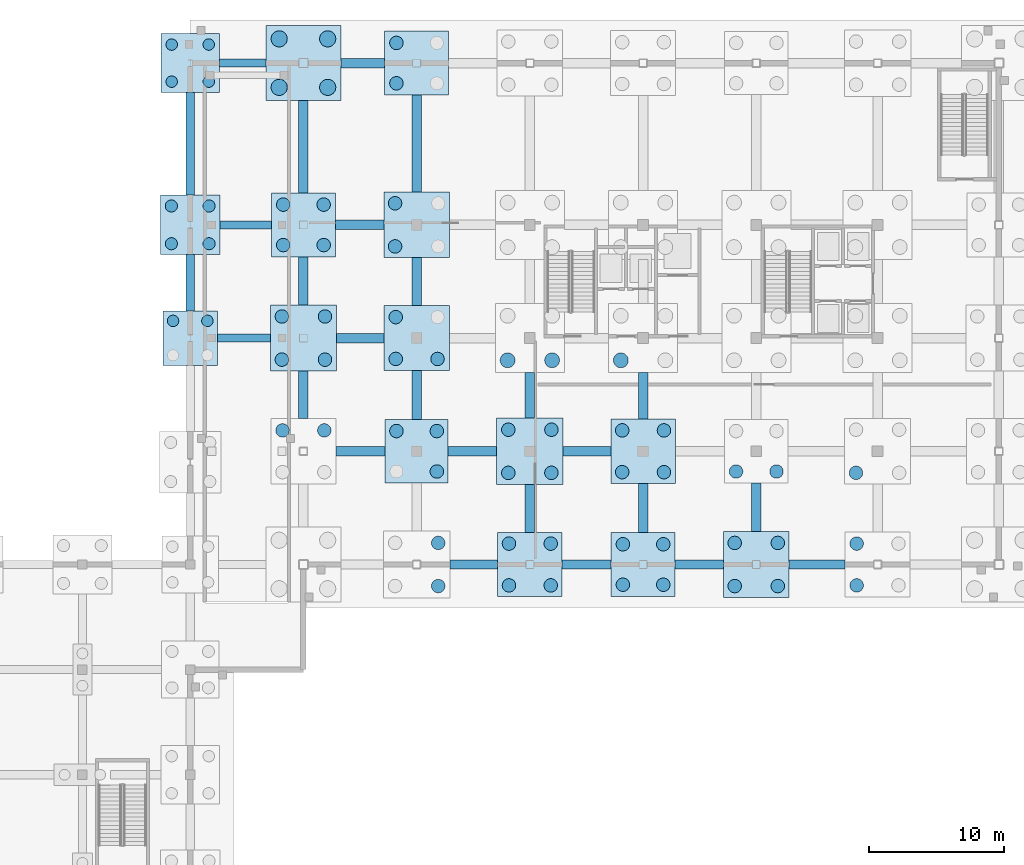
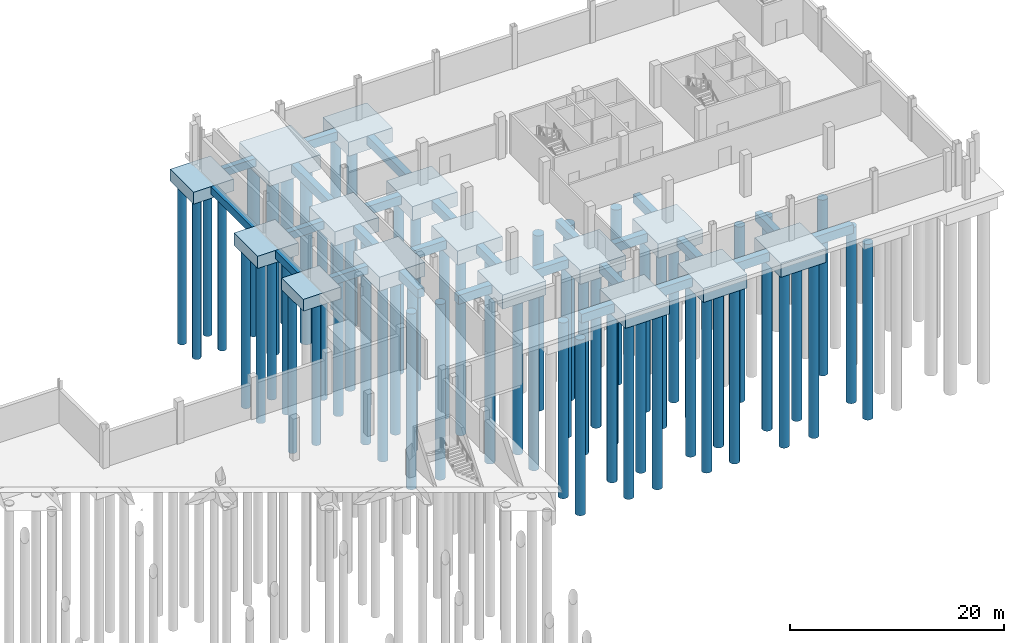
# One storey, part 10 of 44: 64 piles, 41 footings.
"""IFC4 building model written with IfcOpenShell, lengths in metres."""

from ifc_helpers import new_model, si_unit, direction, frame, origin, origin_2d, place, context, subcontext, project, spatial, polyline, rectangle, circle, outline, extrude, material, material_profile, profile_set, type_object, element, save


model = new_model("IFC4")

# Units and contexts
model_context = context("Model", 3, precision=1e-05, world=origin(), true_north=direction((0.0, 1.0)))
body_context = subcontext(model_context, "Body", "Model", "MODEL_VIEW")
ifc_project = project(units=[si_unit("LENGTHUNIT", "METRE"), si_unit("AREAUNIT", "SQUARE_METRE"), si_unit("VOLUMEUNIT", "CUBIC_METRE"), si_unit("PLANEANGLEUNIT", "RADIAN"), si_unit("MASSUNIT", "GRAM", prefix="KILO")], contexts=[model_context])

# Site, building, storey
site_placement = place(None, origin())
site = spatial("IfcSite", under=ifc_project, at=site_placement, CompositionType="ELEMENT")
building_placement = place(site_placement, origin())
building = spatial("IfcBuilding", under=site, at=building_placement, Name="Yukiwa Park Conservatory and Herbarium", CompositionType="ELEMENT")
storey_placement = place(building_placement, frame((0.0, 0.0, -4.800048828125)))
storey = spatial("IfcBuildingStorey", under=building, at=storey_placement, Name="B1", CompositionType="ELEMENT", Elevation=-4.800048828125)

# Footings
ifc_material_1 = material(Name="Concrete C35", Category="concrete")
footing_type_1 = type_object("IfcFootingType", Name="FT-BEAM-600X900", PredefinedType="FOOTING_BEAM", material=ifc_material_1)
footing_1_placement = place(storey_placement, frame((0.0, 0.0, -1.349853515625)))
element("IfcFooting", 1, at=footing_1_placement, inside=storey, type_object=footing_type_1, Name="Foundation tie beam X-127", PredefinedType="FOOTING_BEAM", context=body_context, shape_type="SweptSolid", body=[
    extrude(outline(polyline([(110.02001953125, 94.5), (113.9599609375, 94.5), (113.9599609375, 95.10009765625), (110.02001953125, 95.10009765625), (110.02001953125, 94.5)])), origin(), (0.0, 0.0, 1.0), 0.89990234375),
])
footing_2_placement = place(storey_placement, frame((0.0, 0.0, -1.349853515625)))
element("IfcFooting", 2, at=footing_2_placement, inside=storey, type_object=footing_type_1, Name="Foundation tie beam X-140", PredefinedType="FOOTING_BEAM", context=body_context, shape_type="SweptSolid", body=[
    extrude(outline(polyline([(110.199951171875, 102.89990234375), (114.030029296875, 102.89990234375), (114.030029296875, 103.5), (110.199951171875, 103.5), (110.199951171875, 102.89990234375)])), origin(), (0.0, 0.0, 1.0), 0.89990234375),
])
footing_3_placement = place(storey_placement, frame((0.0, 0.0, -1.349853515625)))
element("IfcFooting", 3, at=footing_3_placement, inside=storey, type_object=footing_type_1, Name="Foundation tie beam X-153", PredefinedType="FOOTING_BEAM", context=body_context, shape_type="SweptSolid", body=[
    extrude(outline(polyline([(110.179931640625, 114.89990234375), (113.6201171875, 114.89990234375), (113.6201171875, 115.5), (110.179931640625, 115.5), (110.179931640625, 114.89990234375)])), origin(), (0.0, 0.0, 1.0), 0.89990234375),
])
footing_4_placement = place(storey_placement, frame((0.0, 0.0, -1.349853515625)))
element("IfcFooting", 4, at=footing_4_placement, inside=storey, type_object=footing_type_1, Name="Foundation tie beam Y-281", PredefinedType="FOOTING_BEAM", context=body_context, shape_type="SweptSolid", body=[
    extrude(outline(polyline([(107.699951171875, 96.820068359375), (108.300048828125, 96.820068359375), (108.300048828125, 101.0), (107.699951171875, 101.0), (107.699951171875, 96.820068359375)])), origin(), (0.0, 0.0, 1.0), 0.89990234375),
])
footing_5_placement = place(storey_placement, frame((0.0, 0.0, -1.349853515625)))
element("IfcFooting", 5, at=footing_5_placement, inside=storey, type_object=footing_type_1, Name="Foundation tie beam Y-282", PredefinedType="FOOTING_BEAM", context=body_context, shape_type="SweptSolid", body=[
    extrude(outline(polyline([(107.699951171875, 105.39990234375), (108.300048828125, 105.39990234375), (108.300048828125, 113.02001953125), (107.699951171875, 113.02001953125), (107.699951171875, 105.39990234375)])), origin(), (0.0, 0.0, 1.0), 0.89990234375),
])
ifc_material_2 = material(Name="Concrete C35", Category="concrete")
footing_type_2 = type_object("IfcFootingType", Name="FT-BEAM-700X1000", PredefinedType="FOOTING_BEAM", material=ifc_material_2)
footing_6_placement = place(storey_placement, frame((0.0, 0.0, -1.449951171875)))
element("IfcFooting", 6, at=footing_6_placement, inside=storey, type_object=footing_type_2, Name="Foundation tie beam X-102", PredefinedType="FOOTING_BEAM", context=body_context, shape_type="SweptSolid", body=[
    extrude(outline(polyline([(127.27001953125, 77.64990234375), (130.81005859375, 77.64990234375), (130.81005859375, 78.35009765625), (127.27001953125, 78.35009765625), (127.27001953125, 77.64990234375)])), origin(), (0.0, 0.0, 1.0), 1.0),
])
footing_7_placement = place(storey_placement, frame((0.0, 0.0, -1.449951171875)))
element("IfcFooting", 7, at=footing_7_placement, inside=storey, type_object=footing_type_2, Name="Foundation tie beam X-103", PredefinedType="FOOTING_BEAM", context=body_context, shape_type="SweptSolid", body=[
    extrude(outline(polyline([(135.590087890625, 77.64990234375), (139.22998046875, 77.64990234375), (139.22998046875, 78.35009765625), (135.590087890625, 78.35009765625), (135.590087890625, 77.64990234375)])), origin(), (0.0, 0.0, 1.0), 1.0),
])
footing_8_placement = place(storey_placement, frame((0.0, 0.0, -1.449951171875)))
element("IfcFooting", 8, at=footing_8_placement, inside=storey, type_object=footing_type_2, Name="Foundation tie beam X-104", PredefinedType="FOOTING_BEAM", context=body_context, shape_type="SweptSolid", body=[
    extrude(outline(polyline([(143.969970703125, 77.64990234375), (147.56005859375, 77.64990234375), (147.56005859375, 78.35009765625), (143.969970703125, 78.35009765625), (143.969970703125, 77.64990234375)])), origin(), (0.0, 0.0, 1.0), 1.0),
])
footing_9_placement = place(storey_placement, frame((0.0, 0.0, -1.449951171875)))
element("IfcFooting", 9, at=footing_9_placement, inside=storey, type_object=footing_type_2, Name="Foundation tie beam X-105", PredefinedType="FOOTING_BEAM", context=body_context, shape_type="SweptSolid", body=[
    extrude(outline(polyline([(152.43994140625, 77.64990234375), (156.580078125, 77.64990234375), (156.580078125, 78.35009765625), (152.43994140625, 78.35009765625), (152.43994140625, 77.64990234375)])), origin(), (0.0, 0.0, 1.0), 1.0),
])
footing_10_placement = place(storey_placement, frame((0.0, 0.0, -1.449951171875)))
element("IfcFooting", 10, at=footing_10_placement, inside=storey, type_object=footing_type_2, Name="Foundation tie beam X-115", PredefinedType="FOOTING_BEAM", context=body_context, shape_type="SweptSolid", body=[
    extrude(outline(polyline([(118.820068359375, 86.050048828125), (122.4599609375, 86.050048828125), (122.4599609375, 86.75), (118.820068359375, 86.75), (118.820068359375, 86.050048828125)])), origin(), (0.0, 0.0, 1.0), 1.0),
])
footing_11_placement = place(storey_placement, frame((0.0, 0.0, -1.449951171875)))
element("IfcFooting", 11, at=footing_11_placement, inside=storey, type_object=footing_type_2, Name="Foundation tie beam X-116", PredefinedType="FOOTING_BEAM", context=body_context, shape_type="SweptSolid", body=[
    extrude(outline(polyline([(127.139892578125, 86.050048828125), (130.72998046875, 86.050048828125), (130.72998046875, 86.75), (127.139892578125, 86.75), (127.139892578125, 86.050048828125)])), origin(), (0.0, 0.0, 1.0), 1.0),
])
footing_12_placement = place(storey_placement, frame((0.0, 0.0, -1.449951171875)))
element("IfcFooting", 12, at=footing_12_placement, inside=storey, type_object=footing_type_2, Name="Foundation tie beam X-117", PredefinedType="FOOTING_BEAM", context=body_context, shape_type="SweptSolid", body=[
    extrude(outline(polyline([(135.669921875, 86.050048828125), (139.2099609375, 86.050048828125), (139.2099609375, 86.75), (135.669921875, 86.75), (135.669921875, 86.050048828125)])), origin(), (0.0, 0.0, 1.0), 1.0),
])
footing_13_placement = place(storey_placement, frame((0.0, 0.0, -1.449951171875)))
element("IfcFooting", 13, at=footing_13_placement, inside=storey, type_object=footing_type_2, Name="Foundation tie beam X-128", PredefinedType="FOOTING_BEAM", context=body_context, shape_type="SweptSolid", body=[
    extrude(outline(polyline([(118.840087890625, 94.449951171875), (122.3798828125, 94.449951171875), (122.3798828125, 95.14990234375), (118.840087890625, 95.14990234375), (118.840087890625, 94.449951171875)])), origin(), (0.0, 0.0, 1.0), 1.0),
])
footing_14_placement = place(storey_placement, frame((0.0, 0.0, -1.449951171875)))
element("IfcFooting", 14, at=footing_14_placement, inside=storey, type_object=footing_type_2, Name="Foundation tie beam X-141", PredefinedType="FOOTING_BEAM", context=body_context, shape_type="SweptSolid", body=[
    extrude(outline(polyline([(118.77001953125, 102.85009765625), (122.360107421875, 102.85009765625), (122.360107421875, 103.550048828125), (118.77001953125, 103.550048828125), (118.77001953125, 102.85009765625)])), origin(), (0.0, 0.0, 1.0), 1.0),
])
footing_15_placement = place(storey_placement, frame((0.0, 0.0, -1.449951171875)))
element("IfcFooting", 15, at=footing_15_placement, inside=storey, type_object=footing_type_2, Name="Foundation tie beam X-154", PredefinedType="FOOTING_BEAM", context=body_context, shape_type="SweptSolid", body=[
    extrude(outline(polyline([(119.179931640625, 114.85009765625), (122.429931640625, 114.85009765625), (122.429931640625, 115.550048828125), (119.179931640625, 115.550048828125), (119.179931640625, 114.85009765625)])), origin(), (0.0, 0.0, 1.0), 1.0),
])
footing_16_placement = place(storey_placement, frame((0.0, 0.0, -1.449951171875)))
element("IfcFooting", 16, at=footing_16_placement, inside=storey, type_object=footing_type_2, Name="Foundation tie beam Y-284", PredefinedType="FOOTING_BEAM", context=body_context, shape_type="SweptSolid", body=[
    extrude(outline(polyline([(116.050048828125, 88.820068359375), (116.75, 88.820068359375), (116.75, 92.360107421875), (116.050048828125, 92.360107421875), (116.050048828125, 88.820068359375)])), origin(), (0.0, 0.0, 1.0), 1.0),
])
footing_17_placement = place(storey_placement, frame((0.0, 0.0, -1.449951171875)))
element("IfcFooting", 17, at=footing_17_placement, inside=storey, type_object=footing_type_2, Name="Foundation tie beam Y-285", PredefinedType="FOOTING_BEAM", context=body_context, shape_type="SweptSolid", body=[
    extrude(outline(polyline([(116.050048828125, 97.239990234375), (116.75, 97.239990234375), (116.75, 100.830078125), (116.050048828125, 100.830078125), (116.050048828125, 97.239990234375)])), origin(), (0.0, 0.0, 1.0), 1.0),
])
footing_18_placement = place(storey_placement, frame((0.0, 0.0, -1.449951171875)))
element("IfcFooting", 18, at=footing_18_placement, inside=storey, type_object=footing_type_2, Name="Foundation tie beam Y-286", PredefinedType="FOOTING_BEAM", context=body_context, shape_type="SweptSolid", body=[
    extrude(outline(polyline([(116.050048828125, 105.570068359375), (116.75, 105.570068359375), (116.75, 112.419921875), (116.050048828125, 112.419921875), (116.050048828125, 105.570068359375)])), origin(), (0.0, 0.0, 1.0), 1.0),
])
footing_19_placement = place(storey_placement, frame((0.0, 0.0, -1.449951171875)))
element("IfcFooting", 19, at=footing_19_placement, inside=storey, type_object=footing_type_2, Name="Foundation tie beam Y-288", PredefinedType="FOOTING_BEAM", context=body_context, shape_type="SweptSolid", body=[
    extrude(outline(polyline([(124.449951171875, 88.739990234375), (125.14990234375, 88.739990234375), (125.14990234375, 92.3798828125), (124.449951171875, 92.3798828125), (124.449951171875, 88.739990234375)])), origin(), (0.0, 0.0, 1.0), 1.0),
])
footing_20_placement = place(storey_placement, frame((0.0, 0.0, -1.449951171875)))
element("IfcFooting", 20, at=footing_20_placement, inside=storey, type_object=footing_type_2, Name="Foundation tie beam Y-289", PredefinedType="FOOTING_BEAM", context=body_context, shape_type="SweptSolid", body=[
    extrude(outline(polyline([(124.449951171875, 97.219970703125), (125.14990234375, 97.219970703125), (125.14990234375, 100.760009765625), (124.449951171875, 100.760009765625), (124.449951171875, 97.219970703125)])), origin(), (0.0, 0.0, 1.0), 1.0),
])
footing_21_placement = place(storey_placement, frame((0.0, 0.0, -1.449951171875)))
element("IfcFooting", 21, at=footing_21_placement, inside=storey, type_object=footing_type_2, Name="Foundation tie beam Y-290", PredefinedType="FOOTING_BEAM", context=body_context, shape_type="SweptSolid", body=[
    extrude(outline(polyline([(124.449951171875, 105.639892578125), (125.14990234375, 105.639892578125), (125.14990234375, 112.830078125), (124.449951171875, 112.830078125), (124.449951171875, 105.639892578125)])), origin(), (0.0, 0.0, 1.0), 1.0),
])
footing_22_placement = place(storey_placement, frame((0.0, 0.0, -1.449951171875)))
element("IfcFooting", 22, at=footing_22_placement, inside=storey, type_object=footing_type_2, Name="Foundation tie beam Y-291", PredefinedType="FOOTING_BEAM", context=body_context, shape_type="SweptSolid", body=[
    extrude(outline(polyline([(132.85009765625, 80.389892578125), (133.550048828125, 80.389892578125), (133.550048828125, 83.929931640625), (132.85009765625, 83.929931640625), (132.85009765625, 80.389892578125)])), origin(), (0.0, 0.0, 1.0), 1.0),
])
footing_23_placement = place(storey_placement, frame((0.0, 0.0, -1.449951171875)))
element("IfcFooting", 23, at=footing_23_placement, inside=storey, type_object=footing_type_2, Name="Foundation tie beam Y-292", PredefinedType="FOOTING_BEAM", context=body_context, shape_type="SweptSolid", body=[
    extrude(outline(polyline([(132.85009765625, 88.8701171875), (133.550048828125, 88.8701171875), (133.550048828125, 92.239990234375), (132.85009765625, 92.239990234375), (132.85009765625, 88.8701171875)])), origin(), (0.0, 0.0, 1.0), 1.0),
])
footing_24_placement = place(storey_placement, frame((0.0, 0.0, -1.449951171875)))
element("IfcFooting", 24, at=footing_24_placement, inside=storey, type_object=footing_type_2, Name="Foundation tie beam Y-295", PredefinedType="FOOTING_BEAM", context=body_context, shape_type="SweptSolid", body=[
    extrude(outline(polyline([(141.25, 80.3701171875), (141.949951171875, 80.3701171875), (141.949951171875, 84.010009765625), (141.25, 84.010009765625), (141.25, 80.3701171875)])), origin(), (0.0, 0.0, 1.0), 1.0),
])
footing_25_placement = place(storey_placement, frame((0.0, 0.0, -1.449951171875)))
element("IfcFooting", 25, at=footing_25_placement, inside=storey, type_object=footing_type_2, Name="Foundation tie beam Y-296", PredefinedType="FOOTING_BEAM", context=body_context, shape_type="SweptSolid", body=[
    extrude(outline(polyline([(141.25, 88.7900390625), (141.949951171875, 88.7900390625), (141.949951171875, 92.239990234375), (141.25, 92.239990234375), (141.25, 88.7900390625)])), origin(), (0.0, 0.0, 1.0), 1.0),
])
footing_26_placement = place(storey_placement, frame((0.0, 0.0, -1.449951171875)))
element("IfcFooting", 26, at=footing_26_placement, inside=storey, type_object=footing_type_2, Name="Foundation tie beam Y-299", PredefinedType="FOOTING_BEAM", context=body_context, shape_type="SweptSolid", body=[
    extrude(outline(polyline([(149.64990234375, 80.43994140625), (150.35009765625, 80.43994140625), (150.35009765625, 84.030029296875), (149.64990234375, 84.030029296875), (149.64990234375, 80.43994140625)])), origin(), (0.0, 0.0, 1.0), 1.0),
])
ifc_material_3 = material(Name="Concrete C35", Category="concrete")
footing_type_3 = type_object("IfcFootingType", Name="FT-PC-4040X4040X1350", PredefinedType="PILE_CAP", material=ifc_material_3)
footing_27_placement = place(storey_placement, frame((108.0, 94.800048828125, -1.800048828125), z_axis=(0.0, 0.0, 1.0), x_axis=(1.0, 0.0, 0.0)))
element("IfcFooting", 27, at=footing_27_placement, inside=storey, type_object=footing_type_3, Name="Reinforced concrete pile cap 142", PredefinedType="PILE_CAP", context=body_context, shape_type="SweptSolid", body=[
    extrude(rectangle(XDim=4.0400390625, YDim=4.0400390625, at=origin_2d()), origin(), (0.0, 0.0, 1.0), 1.35009765625),
])
ifc_material_4 = material(Name="Concrete C35", Category="concrete")
footing_type_4 = type_object("IfcFootingType", Name="FT-PC-4360X4360X1350", PredefinedType="PILE_CAP", material=ifc_material_4)
footing_28_placement = place(storey_placement, frame((108.0, 115.199951171875, -1.800048828125), z_axis=(0.0, 0.0, 1.0), x_axis=(1.0, 0.0, 0.0)))
element("IfcFooting", 28, at=footing_28_placement, inside=storey, type_object=footing_type_4, Name="Reinforced concrete pile cap 144", PredefinedType="PILE_CAP", context=body_context, shape_type="SweptSolid", body=[
    extrude(rectangle(XDim=4.360107421875, YDim=4.360107421875, at=origin_2d()), origin(), (0.0, 0.0, 1.0), 1.35009765625),
])
ifc_material_5 = material(Name="Concrete C35", Category="concrete")
footing_type_5 = type_object("IfcFootingType", Name="FT-PC-4400X4400X1400", PredefinedType="PILE_CAP", material=ifc_material_5)
footing_29_placement = place(storey_placement, frame((108.0, 103.199951171875, -1.849853515625), z_axis=(0.0, 0.0, 1.0), x_axis=(1.0, 0.0, 0.0)))
element("IfcFooting", 29, at=footing_29_placement, inside=storey, type_object=footing_type_5, Name="Reinforced concrete pile cap 143", PredefinedType="PILE_CAP", context=body_context, shape_type="SweptSolid", body=[
    extrude(rectangle(XDim=4.39990234375, YDim=4.39990234375, at=origin_2d()), origin(), (0.0, 0.0, 1.0), 1.39990234375),
])
ifc_material_6 = material(Name="Concrete C35", Category="concrete")
footing_type_6 = type_object("IfcFootingType", Name="FT-PC-4680X4680X1600", PredefinedType="PILE_CAP", material=ifc_material_6)
footing_30_placement = place(storey_placement, frame((124.800048828125, 86.39990234375, -2.050048828125), z_axis=(0.0, 0.0, 1.0), x_axis=(1.0, 0.0, 0.0)))
element("IfcFooting", 30, at=footing_30_placement, inside=storey, type_object=footing_type_6, Name="Reinforced concrete pile cap 151", PredefinedType="PILE_CAP", context=body_context, shape_type="SweptSolid", body=[
    extrude(rectangle(XDim=4.679931640625, YDim=4.679931640625, at=origin_2d()), origin(), (0.0, 0.0, 1.0), 1.60009765625),
])
ifc_material_7 = material(Name="Concrete C35", Category="concrete")
footing_type_7 = type_object("IfcFootingType", Name="FT-PC-4740X4740X1600", PredefinedType="PILE_CAP", material=ifc_material_7)
for number, where, z_axis, x_axis, name in (
    (31, (116.39990234375, 103.199951171875, -2.050048828125), (0.0, 0.0, 1.0), (1.0, 0.0, 0.0), "Reinforced concrete pile cap 148"),
    (32, (124.800048828125, 115.199951171875, -2.050048828125), (0.0, 0.0, 1.0), (1.0, 0.0, 0.0), "Reinforced concrete pile cap 154"),
    (33, (141.60009765625, 78.0, -2.050048828125), (0.0, 0.0, 1.0), (1.0, 0.0, 0.0), "Reinforced concrete pile cap 160"),
):
    element("IfcFooting", number, at=place(storey_placement, frame(where, z_axis=z_axis, x_axis=x_axis)), inside=storey, type_object=footing_type_7, Name=name, PredefinedType="PILE_CAP", context=body_context, shape_type="SweptSolid", body=[
        extrude(rectangle(XDim=4.739990234375, YDim=4.739990234375, at=origin_2d()), origin(), (0.0, 0.0, 1.0), 1.60009765625),
    ])
ifc_material_8 = material(Name="Concrete C35", Category="concrete")
footing_type_8 = type_object("IfcFootingType", Name="FT-PC-4780X4780X1600", PredefinedType="PILE_CAP", material=ifc_material_8)
for number, where, z_axis, x_axis, name in (
    (34, (133.199951171875, 78.0, -2.050048828125), (0.0, 0.0, 1.0), (1.0, 0.0, 0.0), "Reinforced concrete pile cap 155"),
    (35, (141.60009765625, 86.39990234375, -2.050048828125), (0.0, 0.0, 1.0), (1.0, 0.0, 0.0), "Reinforced concrete pile cap 161"),
):
    element("IfcFooting", number, at=place(storey_placement, frame(where, z_axis=z_axis, x_axis=x_axis)), inside=storey, type_object=footing_type_8, Name=name, PredefinedType="PILE_CAP", context=body_context, shape_type="SweptSolid", body=[
        extrude(rectangle(XDim=4.780029296875, YDim=4.780029296875, at=origin_2d()), origin(), (0.0, 0.0, 1.0), 1.60009765625),
    ])
ifc_material_9 = material(Name="Concrete C35", Category="concrete")
footing_type_9 = type_object("IfcFootingType", Name="FT-PC-4840X4840X1600", PredefinedType="PILE_CAP", material=ifc_material_9)
footing_31_placement = place(storey_placement, frame((124.800048828125, 94.800048828125, -2.050048828125), z_axis=(0.0, 0.0, 1.0), x_axis=(1.0, 0.0, 0.0)))
element("IfcFooting", 36, at=footing_31_placement, inside=storey, type_object=footing_type_9, Name="Reinforced concrete pile cap 152", PredefinedType="PILE_CAP", context=body_context, shape_type="SweptSolid", body=[
    extrude(rectangle(XDim=4.840087890625, YDim=4.840087890625, at=origin_2d()), origin(), (0.0, 0.0, 1.0), 1.60009765625),
])
ifc_material_10 = material(Name="Concrete C35", Category="concrete")
footing_type_10 = type_object("IfcFootingType", Name="FT-PC-4880X4880X1600", PredefinedType="PILE_CAP", material=ifc_material_10)
for number, where, z_axis, x_axis, name in (
    (37, (116.39990234375, 94.800048828125, -2.050048828125), (0.0, 0.0, 1.0), (1.0, 0.0, 0.0), "Reinforced concrete pile cap 147"),
    (38, (124.800048828125, 103.199951171875, -2.050048828125), (0.0, 0.0, 1.0), (1.0, 0.0, 0.0), "Reinforced concrete pile cap 153"),
    (39, (150.0, 78.0, -2.050048828125), (0.0, 0.0, 1.0), (1.0, 0.0, 0.0), "Reinforced concrete pile cap 165"),
):
    element("IfcFooting", number, at=place(storey_placement, frame(where, z_axis=z_axis, x_axis=x_axis)), inside=storey, type_object=footing_type_10, Name=name, PredefinedType="PILE_CAP", context=body_context, shape_type="SweptSolid", body=[
        extrude(rectangle(XDim=4.8798828125, YDim=4.8798828125, at=origin_2d()), origin(), (0.0, 0.0, 1.0), 1.60009765625),
    ])
ifc_material_11 = material(Name="Concrete C35", Category="concrete")
footing_type_11 = type_object("IfcFootingType", Name="FT-PC-4940X4940X1600", PredefinedType="PILE_CAP", material=ifc_material_11)
footing_32_placement = place(storey_placement, frame((133.199951171875, 86.39990234375, -2.050048828125), z_axis=(0.0, 0.0, 1.0), x_axis=(1.0, 0.0, 0.0)))
element("IfcFooting", 40, at=footing_32_placement, inside=storey, type_object=footing_type_11, Name="Reinforced concrete pile cap 156", PredefinedType="PILE_CAP", context=body_context, shape_type="SweptSolid", body=[
    extrude(rectangle(XDim=4.93994140625, YDim=4.93994140625, at=origin_2d()), origin(), (0.0, 0.0, 1.0), 1.60009765625),
])
ifc_material_12 = material(Name="Concrete C35", Category="concrete")
footing_type_12 = type_object("IfcFootingType", Name="FT-PC-5560X5560X1700", PredefinedType="PILE_CAP", material=ifc_material_12)
footing_33_placement = place(storey_placement, frame((116.39990234375, 115.199951171875, -2.14990234375), z_axis=(0.0, 0.0, 1.0), x_axis=(1.0, 0.0, 0.0)))
element("IfcFooting", 41, at=footing_33_placement, inside=storey, type_object=footing_type_12, Name="Reinforced concrete pile cap 149", PredefinedType="PILE_CAP", context=body_context, shape_type="SweptSolid", body=[
    extrude(rectangle(XDim=5.56005859375, YDim=5.56005859375, at=origin_2d()), origin(), (0.0, 0.0, 1.0), 1.699951171875),
])

# Piles
ifc_material_13 = material(Name="Concrete C35", Category="concrete")
ifc_material_profile_1 = material_profile(ifc_material_13, circle(Radius=0.5, at=origin_2d()), Name="PILE D1000")
ifc_profile_set_1 = profile_set([ifc_material_profile_1], Name="Concrete C35")
pile_type_1 = type_object("IfcPileType", Name="PL-BORED-D1000", PredefinedType="BORED", material=ifc_profile_set_1)
for number, where, z_axis, x_axis, name in (
    (42, (114.85009765625, 87.949951171875, -1.949951171875), (0.0, 0.0, -1.0), (1.0, 0.0, 0.0), "Bored cast-in-place pile 146.3"),
    (43, (117.949951171875, 87.949951171875, -1.949951171875), (0.0, 0.0, -1.0), (1.0, 0.0, 0.0), "Bored cast-in-place pile 146.4"),
    (44, (114.800048828125, 93.199951171875, -1.949951171875), (0.0, 0.0, -1.0), (1.0, 0.0, 0.0), "Bored cast-in-place pile 147.1"),
    (45, (118.0, 93.199951171875, -1.949951171875), (0.0, 0.0, -1.0), (1.0, 0.0, 0.0), "Bored cast-in-place pile 147.2"),
    (46, (114.800048828125, 96.39990234375, -1.949951171875), (0.0, 0.0, -1.0), (1.0, 0.0, 0.0), "Bored cast-in-place pile 147.3"),
    (47, (118.0, 96.39990234375, -1.949951171875), (0.0, 0.0, -1.0), (1.0, 0.0, 0.0), "Bored cast-in-place pile 147.4"),
    (48, (114.89990234375, 101.699951171875, -1.949951171875), (0.0, 0.0, -1.0), (1.0, 0.0, 0.0), "Bored cast-in-place pile 148.1"),
    (49, (117.89990234375, 101.699951171875, -1.949951171875), (0.0, 0.0, -1.0), (1.0, 0.0, 0.0), "Bored cast-in-place pile 148.2"),
    (50, (114.89990234375, 104.699951171875, -1.949951171875), (0.0, 0.0, -1.0), (1.0, 0.0, 0.0), "Bored cast-in-place pile 148.3"),
    (51, (117.89990234375, 104.699951171875, -1.949951171875), (0.0, 0.0, -1.0), (1.0, 0.0, 0.0), "Bored cast-in-place pile 148.4"),
    (52, (126.39990234375, 76.39990234375, -1.949951171875), (0.0, 0.0, -1.0), (1.0, 0.0, 0.0), "Bored cast-in-place pile 150.2"),
    (53, (126.39990234375, 79.60009765625, -1.949951171875), (0.0, 0.0, -1.0), (1.0, 0.0, 0.0), "Bored cast-in-place pile 150.4"),
    (54, (126.300048828125, 84.89990234375, -1.949951171875), (0.0, 0.0, -1.0), (1.0, 0.0, 0.0), "Bored cast-in-place pile 151.2"),
    (55, (123.300048828125, 87.89990234375, -1.949951171875), (0.0, 0.0, -1.0), (1.0, 0.0, 0.0), "Bored cast-in-place pile 151.3"),
    (56, (126.300048828125, 87.89990234375, -1.949951171875), (0.0, 0.0, -1.0), (1.0, 0.0, 0.0), "Bored cast-in-place pile 151.4"),
    (57, (123.25, 93.25, -1.949951171875), (0.0, 0.0, -1.0), (1.0, 0.0, 0.0), "Bored cast-in-place pile 152.1"),
    (58, (126.35009765625, 93.25, -1.949951171875), (0.0, 0.0, -1.0), (1.0, 0.0, 0.0), "Bored cast-in-place pile 152.2"),
    (59, (123.25, 96.35009765625, -1.949951171875), (0.0, 0.0, -1.0), (1.0, 0.0, 0.0), "Bored cast-in-place pile 152.3"),
    (60, (123.199951171875, 101.60009765625, -1.949951171875), (0.0, 0.0, -1.0), (1.0, 0.0, 0.0), "Bored cast-in-place pile 153.1"),
    (61, (123.199951171875, 104.800048828125, -1.949951171875), (0.0, 0.0, -1.0), (1.0, 0.0, 0.0), "Bored cast-in-place pile 153.3"),
    (62, (123.300048828125, 113.699951171875, -1.949951171875), (0.0, 0.0, -1.0), (1.0, 0.0, 0.0), "Bored cast-in-place pile 154.1"),
    (63, (123.300048828125, 116.699951171875, -1.949951171875), (0.0, 0.0, -1.0), (1.0, 0.0, 0.0), "Bored cast-in-place pile 154.3"),
    (64, (131.64990234375, 76.449951171875, -1.949951171875), (0.0, 0.0, -1.0), (1.0, 0.0, 0.0), "Bored cast-in-place pile 155.1"),
    (65, (134.75, 76.449951171875, -1.949951171875), (0.0, 0.0, -1.0), (1.0, 0.0, 0.0), "Bored cast-in-place pile 155.2"),
    (66, (131.64990234375, 79.550048828125, -1.949951171875), (0.0, 0.0, -1.0), (1.0, 0.0, 0.0), "Bored cast-in-place pile 155.3"),
    (67, (134.75, 79.550048828125, -1.949951171875), (0.0, 0.0, -1.0), (1.0, 0.0, 0.0), "Bored cast-in-place pile 155.4"),
    (68, (131.60009765625, 84.800048828125, -1.949951171875), (0.0, 0.0, -1.0), (1.0, 0.0, 0.0), "Bored cast-in-place pile 156.1"),
    (69, (134.800048828125, 84.800048828125, -1.949951171875), (0.0, 0.0, -1.0), (1.0, 0.0, 0.0), "Bored cast-in-place pile 156.2"),
    (70, (131.60009765625, 88.0, -1.949951171875), (0.0, 0.0, -1.0), (1.0, 0.0, 0.0), "Bored cast-in-place pile 156.3"),
    (71, (134.800048828125, 88.0, -1.949951171875), (0.0, 0.0, -1.0), (1.0, 0.0, 0.0), "Bored cast-in-place pile 156.4"),
    (72, (140.10009765625, 76.5, -1.949951171875), (0.0, 0.0, -1.0), (1.0, 0.0, 0.0), "Bored cast-in-place pile 160.1"),
    (73, (143.10009765625, 76.5, -1.949951171875), (0.0, 0.0, -1.0), (1.0, 0.0, 0.0), "Bored cast-in-place pile 160.2"),
    (74, (140.10009765625, 79.5, -1.949951171875), (0.0, 0.0, -1.0), (1.0, 0.0, 0.0), "Bored cast-in-place pile 160.3"),
    (75, (143.10009765625, 79.5, -1.949951171875), (0.0, 0.0, -1.0), (1.0, 0.0, 0.0), "Bored cast-in-place pile 160.4"),
    (76, (140.050048828125, 84.85009765625, -1.949951171875), (0.0, 0.0, -1.0), (1.0, 0.0, 0.0), "Bored cast-in-place pile 161.1"),
    (77, (143.14990234375, 84.85009765625, -1.949951171875), (0.0, 0.0, -1.0), (1.0, 0.0, 0.0), "Bored cast-in-place pile 161.2"),
    (78, (140.050048828125, 87.949951171875, -1.949951171875), (0.0, 0.0, -1.0), (1.0, 0.0, 0.0), "Bored cast-in-place pile 161.3"),
    (79, (143.14990234375, 87.949951171875, -1.949951171875), (0.0, 0.0, -1.0), (1.0, 0.0, 0.0), "Bored cast-in-place pile 161.4"),
    (80, (148.39990234375, 76.39990234375, -1.949951171875), (0.0, 0.0, -1.0), (1.0, 0.0, 0.0), "Bored cast-in-place pile 165.1"),
    (81, (151.60009765625, 76.39990234375, -1.949951171875), (0.0, 0.0, -1.0), (1.0, 0.0, 0.0), "Bored cast-in-place pile 165.2"),
    (82, (148.39990234375, 79.60009765625, -1.949951171875), (0.0, 0.0, -1.0), (1.0, 0.0, 0.0), "Bored cast-in-place pile 165.3"),
    (83, (151.60009765625, 79.60009765625, -1.949951171875), (0.0, 0.0, -1.0), (1.0, 0.0, 0.0), "Bored cast-in-place pile 165.4"),
    (84, (148.5, 84.89990234375, -1.949951171875), (0.0, 0.0, -1.0), (1.0, 0.0, 0.0), "Bored cast-in-place pile 166.1"),
    (85, (151.5, 84.89990234375, -1.949951171875), (0.0, 0.0, -1.0), (1.0, 0.0, 0.0), "Bored cast-in-place pile 166.2"),
    (86, (157.449951171875, 76.449951171875, -1.949951171875), (0.0, 0.0, -1.0), (1.0, 0.0, 0.0), "Bored cast-in-place pile 170.1"),
    (87, (157.449951171875, 79.550048828125, -1.949951171875), (0.0, 0.0, -1.0), (1.0, 0.0, 0.0), "Bored cast-in-place pile 170.3"),
    (88, (157.39990234375, 84.800048828125, -1.949951171875), (0.0, 0.0, -1.0), (1.0, 0.0, 0.0), "Bored cast-in-place pile 171.1"),
):
    element("IfcPile", number, at=place(storey_placement, frame(where, z_axis=z_axis, x_axis=x_axis)), inside=storey, type_object=pile_type_1, Name=name, PredefinedType="BORED", context=body_context, shape_type="SweptSolid", body=[
        extrude(circle(Radius=0.5, at=origin_2d()), origin(), (0.0, 0.0, 1.0), 20.050048828125),
    ])
ifc_material_14 = material(Name="Concrete C35", Category="concrete")
ifc_material_profile_2 = material_profile(ifc_material_14, circle(Radius=0.550048828125, at=origin_2d()), Name="PILE D1100")
ifc_profile_set_2 = profile_set([ifc_material_profile_2], Name="Concrete C35")
pile_type_2 = type_object("IfcPileType", Name="PL-BORED-D1100", PredefinedType="BORED", material=ifc_profile_set_2)
for number, where, z_axis, x_axis, name in (
    (89, (131.550048828125, 93.14990234375, -2.0), (0.0, 0.0, -1.0), (1.0, 0.0, 0.0), "Bored cast-in-place pile 157.1"),
    (90, (134.85009765625, 93.14990234375, -2.0), (0.0, 0.0, -1.0), (1.0, 0.0, 0.0), "Bored cast-in-place pile 157.2"),
    (91, (139.949951171875, 93.14990234375, -2.0), (0.0, 0.0, -1.0), (1.0, 0.0, 0.0), "Bored cast-in-place pile 162.1"),
):
    element("IfcPile", number, at=place(storey_placement, frame(where, z_axis=z_axis, x_axis=x_axis)), inside=storey, type_object=pile_type_2, Name=name, PredefinedType="BORED", context=body_context, shape_type="SweptSolid", body=[
        extrude(circle(Radius=0.550048828125, at=origin_2d()), origin(), (0.0, 0.0, 1.0), 20.0),
    ])
ifc_material_15 = material(Name="Concrete C35", Category="concrete")
ifc_material_profile_3 = material_profile(ifc_material_15, circle(Radius=0.60009765625, at=origin_2d()), Name="PILE D1200")
ifc_profile_set_3 = profile_set([ifc_material_profile_3], Name="Concrete C35")
pile_type_3 = type_object("IfcPileType", Name="PL-BORED-D1200", PredefinedType="BORED", material=ifc_profile_set_3)
for number, where, z_axis, x_axis, name in (
    (92, (114.60009765625, 113.39990234375, -2.050048828125), (0.0, 0.0, -1.0), (1.0, 0.0, 0.0), "Bored cast-in-place pile 149.1"),
    (93, (118.199951171875, 113.39990234375, -2.050048828125), (0.0, 0.0, -1.0), (1.0, 0.0, 0.0), "Bored cast-in-place pile 149.2"),
    (94, (114.60009765625, 117.0, -2.050048828125), (0.0, 0.0, -1.0), (1.0, 0.0, 0.0), "Bored cast-in-place pile 149.3"),
    (95, (118.199951171875, 117.0, -2.050048828125), (0.0, 0.0, -1.0), (1.0, 0.0, 0.0), "Bored cast-in-place pile 149.4"),
):
    element("IfcPile", number, at=place(storey_placement, frame(where, z_axis=z_axis, x_axis=x_axis)), inside=storey, type_object=pile_type_3, Name=name, PredefinedType="BORED", context=body_context, shape_type="SweptSolid", body=[
        extrude(circle(Radius=0.60009765625, at=origin_2d()), origin(), (0.0, 0.0, 1.0), 19.949951171875),
    ])
ifc_material_16 = material(Name="Concrete C35", Category="concrete")
ifc_material_profile_4 = material_profile(ifc_material_16, circle(Radius=0.425048828125, at=origin_2d()), Name="PILE D850")
ifc_profile_set_4 = profile_set([ifc_material_profile_4], Name="Concrete C35")
pile_type_4 = type_object("IfcPileType", Name="PL-BORED-D850", PredefinedType="BORED", material=ifc_profile_set_4)
for number, where, z_axis, x_axis, name in (
    (96, (106.72509765625, 96.074951171875, -1.699951171875), (0.0, 0.0, -1.0), (1.0, 0.0, 0.0), "Bored cast-in-place pile 142.3"),
    (97, (109.27490234375, 96.074951171875, -1.699951171875), (0.0, 0.0, -1.0), (1.0, 0.0, 0.0), "Bored cast-in-place pile 142.4"),
    (98, (106.625, 113.824951171875, -1.699951171875), (0.0, 0.0, -1.0), (1.0, 0.0, 0.0), "Bored cast-in-place pile 144.1"),
    (99, (109.375, 113.824951171875, -1.699951171875), (0.0, 0.0, -1.0), (1.0, 0.0, 0.0), "Bored cast-in-place pile 144.2"),
    (100, (106.625, 116.574951171875, -1.699951171875), (0.0, 0.0, -1.0), (1.0, 0.0, 0.0), "Bored cast-in-place pile 144.3"),
    (101, (109.375, 116.574951171875, -1.699951171875), (0.0, 0.0, -1.0), (1.0, 0.0, 0.0), "Bored cast-in-place pile 144.4"),
):
    element("IfcPile", number, at=place(storey_placement, frame(where, z_axis=z_axis, x_axis=x_axis)), inside=storey, type_object=pile_type_4, Name=name, PredefinedType="BORED", context=body_context, shape_type="SweptSolid", body=[
        extrude(circle(Radius=0.425048828125, at=origin_2d()), origin(), (0.0, 0.0, 1.0), 18.300048828125),
    ])
ifc_material_17 = material(Name="Concrete C35", Category="concrete")
ifc_material_profile_5 = material_profile(ifc_material_17, circle(Radius=0.449951171875, at=origin_2d()), Name="PILE D900")
ifc_profile_set_5 = profile_set([ifc_material_profile_5], Name="Concrete C35")
pile_type_5 = type_object("IfcPileType", Name="PL-BORED-D900", PredefinedType="BORED", material=ifc_profile_set_5)
for number, where, z_axis, x_axis, name in (
    (102, (106.60009765625, 101.800048828125, -1.75), (0.0, 0.0, -1.0), (1.0, 0.0, 0.0), "Bored cast-in-place pile 143.1"),
    (103, (109.39990234375, 101.800048828125, -1.75), (0.0, 0.0, -1.0), (1.0, 0.0, 0.0), "Bored cast-in-place pile 143.2"),
    (104, (106.60009765625, 104.60009765625, -1.75), (0.0, 0.0, -1.0), (1.0, 0.0, 0.0), "Bored cast-in-place pile 143.3"),
    (105, (109.39990234375, 104.60009765625, -1.75), (0.0, 0.0, -1.0), (1.0, 0.0, 0.0), "Bored cast-in-place pile 143.4"),
):
    element("IfcPile", number, at=place(storey_placement, frame(where, z_axis=z_axis, x_axis=x_axis)), inside=storey, type_object=pile_type_5, Name=name, PredefinedType="BORED", context=body_context, shape_type="SweptSolid", body=[
        extrude(circle(Radius=0.449951171875, at=origin_2d()), origin(), (0.0, 0.0, 1.0), 18.25),
    ])

save(model, "model.ifc")
